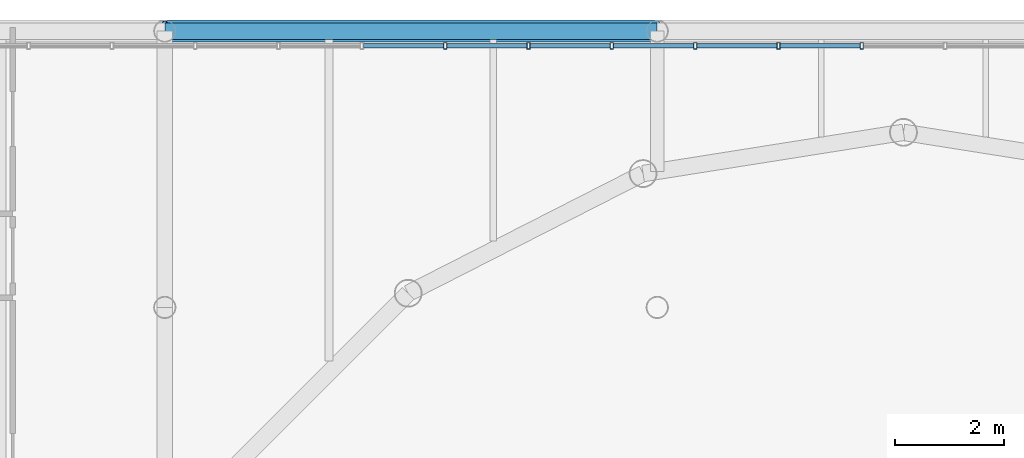
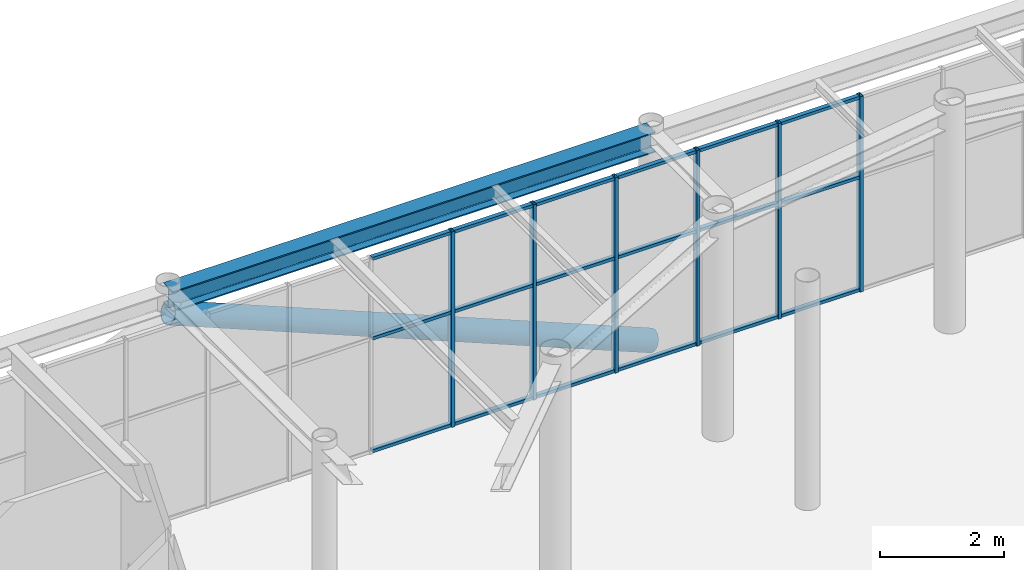
# One storey, part 61 of 149: 25 members, 1 beam, 1 element without a shape of its own.
"""IFC4 building model written with IfcOpenShell, lengths in metres."""

from ifc_helpers import new_model, si_unit, direction, frame, origin, origin_2d, place, context, subcontext, project, spatial, hollow_rectangle, hollow_circle, i_section, extrude, material, layer, layer_set, material_profile, profile_set, type_object, element, aggregate, save


model = new_model("IFC4")

# Units and contexts
model_context = context("Model", 3, precision=1e-05, world=origin(), true_north=direction((0.0, 1.0)))
body_context = subcontext(model_context, "Body", "Model", "MODEL_VIEW")
ifc_project = project(units=[si_unit("LENGTHUNIT", "METRE"), si_unit("AREAUNIT", "SQUARE_METRE"), si_unit("VOLUMEUNIT", "CUBIC_METRE"), si_unit("PLANEANGLEUNIT", "RADIAN"), si_unit("MASSUNIT", "GRAM", prefix="KILO")], contexts=[model_context])

# Site, building, storey
site_placement = place(None, origin())
site = spatial("IfcSite", under=ifc_project, at=site_placement, CompositionType="ELEMENT")
building_placement = place(site_placement, origin())
building = spatial("IfcBuilding", under=site, at=building_placement, Name="Kallimachos Central Library", CompositionType="ELEMENT")
storey_placement = place(building_placement, frame((0.0, 0.0, 9.89990234375)))
storey = spatial("IfcBuildingStorey", under=building, at=storey_placement, Name="L02", CompositionType="ELEMENT", Elevation=9.89990234375)

# Member
ifc_material_1 = material(Name="Steel S355J2H", Category="steel")
ifc_material_profile_1 = material_profile(ifc_material_1, hollow_circle(Radius=0.203125, WallThickness=0.01611328125, at=origin_2d()), Name="CHS 406.4x16")
ifc_profile_set_1 = profile_set([ifc_material_profile_1], Name="Steel S355J2H")
member_type_1 = type_object("IfcMemberType", Name="CHS 406.4x16 brace", PredefinedType="BRACE", material=ifc_profile_set_1)
member_1_placement = place(storey_placement, frame((74.5, 121.64990234375, 3.85009765625), z_axis=(0.924892546912, 0.0, -0.380228584756), x_axis=(0.0, 1.0, 0.0)))
element("IfcMember", 1, at=member_1_placement, inside=storey, type_object=member_type_1, Name="Cantilever truss diagonal north bay 2 L02", PredefinedType="BRACE", context=body_context, shape_type="SweptSolid", body=[
    extrude(hollow_circle(Radius=0.203125, WallThickness=0.01611328125, at=origin_2d()), origin(), (0.0, 0.0, 1.0), 9.73095703125),
])

# Curtain wall, members
ifc_material_2 = material(Name="Anodised aluminium and laminated glass", Category="aluminium")
ifc_layer = layer(ifc_material_2, 0.159912109375)
ifc_layer_set = layer_set([ifc_layer], Name="Glass box curtain wall")
curtain_wall_type = type_object("IfcCurtainWallType", Name="Glass box curtain wall", PredefinedType="NOTDEFINED", material=ifc_layer_set)
curtain_wall_placement = place(storey_placement, origin())
curtain_wall = element("IfcCurtainWall", 2, at=curtain_wall_placement, inside=storey, type_object=curtain_wall_type, Name="Glass box curtain wall N L02", PredefinedType="NOTDEFINED")
ifc_material_3 = material(Name="Anodised aluminium", Category="aluminium")
ifc_material_profile_2 = material_profile(ifc_material_3, hollow_rectangle(XDim=0.06005859375, YDim=0.1201171875, WallThickness=0.00390625, at=origin_2d()), Name="ALU MULLION 60x120")
ifc_profile_set_2 = profile_set([ifc_material_profile_2], Name="Anodised aluminium")
member_type_2 = type_object("IfcMemberType", Name="Glass box mullion 60x120", PredefinedType="MULLION", material=ifc_profile_set_2)
member_2_placement = place(storey_placement, frame((79.624755859375, 121.3798828125, 0.0), z_axis=(0.0, 0.0, 1.0), x_axis=(1.0, 0.0, 0.0)))
member_2 = element("IfcMember", 3, at=member_2_placement, type_object=member_type_2, Name="CW20 mullion 10", PredefinedType="MULLION", context=body_context, shape_type="SweptSolid", body=[
    extrude(hollow_rectangle(XDim=0.06005859375, YDim=0.1201171875, WallThickness=0.00390625, at=origin_2d()), origin(), (0.0, 0.0, 1.0), 3.85009765625),
])
member_3_placement = place(storey_placement, frame((81.147705078125, 121.3798828125, 0.0), z_axis=(0.0, 0.0, 1.0), x_axis=(1.0, 0.0, 0.0)))
member_3 = element("IfcMember", 4, at=member_3_placement, type_object=member_type_2, Name="CW20 mullion 11", PredefinedType="MULLION", context=body_context, shape_type="SweptSolid", body=[
    extrude(hollow_rectangle(XDim=0.06005859375, YDim=0.1201171875, WallThickness=0.00390625, at=origin_2d()), origin(), (0.0, 0.0, 1.0), 3.85009765625),
])
member_4_placement = place(storey_placement, frame((82.67041015625, 121.3798828125, 0.0), z_axis=(0.0, 0.0, 1.0), x_axis=(1.0, 0.0, 0.0)))
member_4 = element("IfcMember", 5, at=member_4_placement, type_object=member_type_2, Name="CW20 mullion 12", PredefinedType="MULLION", context=body_context, shape_type="SweptSolid", body=[
    extrude(hollow_rectangle(XDim=0.06005859375, YDim=0.1201171875, WallThickness=0.00390625, at=origin_2d()), origin(), (0.0, 0.0, 1.0), 3.85009765625),
])
member_5_placement = place(storey_placement, frame((84.193115234375, 121.3798828125, 0.0), z_axis=(0.0, 0.0, 1.0), x_axis=(1.0, 0.0, 0.0)))
member_5 = element("IfcMember", 6, at=member_5_placement, type_object=member_type_2, Name="CW20 mullion 13", PredefinedType="MULLION", context=body_context, shape_type="SweptSolid", body=[
    extrude(hollow_rectangle(XDim=0.06005859375, YDim=0.1201171875, WallThickness=0.00390625, at=origin_2d()), origin(), (0.0, 0.0, 1.0), 3.85009765625),
])
member_6_placement = place(storey_placement, frame((85.7158203125, 121.3798828125, 0.0), z_axis=(0.0, 0.0, 1.0), x_axis=(1.0, 0.0, 0.0)))
member_6 = element("IfcMember", 7, at=member_6_placement, type_object=member_type_2, Name="CW20 mullion 14", PredefinedType="MULLION", context=body_context, shape_type="SweptSolid", body=[
    extrude(hollow_rectangle(XDim=0.06005859375, YDim=0.1201171875, WallThickness=0.00390625, at=origin_2d()), origin(), (0.0, 0.0, 1.0), 3.85009765625),
])
member_7_placement = place(storey_placement, frame((87.238525390625, 121.3798828125, 0.0), z_axis=(0.0, 0.0, 1.0), x_axis=(1.0, 0.0, 0.0)))
member_7 = element("IfcMember", 8, at=member_7_placement, type_object=member_type_2, Name="CW20 mullion 15", PredefinedType="MULLION", context=body_context, shape_type="SweptSolid", body=[
    extrude(hollow_rectangle(XDim=0.06005859375, YDim=0.1201171875, WallThickness=0.00390625, at=origin_2d()), origin(), (0.0, 0.0, 1.0), 3.85009765625),
])
ifc_material_4 = material(Name="Anodised aluminium", Category="aluminium")
ifc_material_profile_3 = material_profile(ifc_material_4, hollow_rectangle(XDim=0.06005859375, YDim=0.080078125, WallThickness=0.00390625, at=origin_2d()), Name="ALU TRANSOM 60x80")
ifc_profile_set_3 = profile_set([ifc_material_profile_3], Name="Anodised aluminium")
member_type_3 = type_object("IfcMemberType", Name="Glass box transom 60x80", PredefinedType="USERDEFINED", material=ifc_profile_set_3)
member_8_placement = place(storey_placement, frame((78.132080078125, 121.3798828125, 0.030029296875), z_axis=(1.0, 0.0, 0.0), x_axis=(0.0, 0.0, 1.0)))
member_8 = element("IfcMember", 9, at=member_8_placement, type_object=member_type_3, Name="CW20 transom 9.1", ObjectType="TRANSOM", PredefinedType="USERDEFINED", context=body_context, shape_type="SweptSolid", body=[
    extrude(hollow_rectangle(XDim=0.06005859375, YDim=0.080078125, WallThickness=0.00390625, at=origin_2d()), origin(), (0.0, 0.0, 1.0), 1.462646484375),
])
member_9_placement = place(storey_placement, frame((78.132080078125, 121.3798828125, 2.25), z_axis=(1.0, 0.0, 0.0), x_axis=(0.0, 0.0, 1.0)))
member_9 = element("IfcMember", 10, at=member_9_placement, type_object=member_type_3, Name="CW20 transom 9.2", ObjectType="TRANSOM", PredefinedType="USERDEFINED", context=body_context, shape_type="SweptSolid", body=[
    extrude(hollow_rectangle(XDim=0.06005859375, YDim=0.080078125, WallThickness=0.00390625, at=origin_2d()), origin(), (0.0, 0.0, 1.0), 1.462646484375),
])
member_10_placement = place(storey_placement, frame((78.132080078125, 121.3798828125, 3.820068359375), z_axis=(1.0, 0.0, 0.0), x_axis=(0.0, 0.0, 1.0)))
member_10 = element("IfcMember", 11, at=member_10_placement, type_object=member_type_3, Name="CW20 transom 9.3", ObjectType="TRANSOM", PredefinedType="USERDEFINED", context=body_context, shape_type="SweptSolid", body=[
    extrude(hollow_rectangle(XDim=0.06005859375, YDim=0.080078125, WallThickness=0.00390625, at=origin_2d()), origin(), (0.0, 0.0, 1.0), 1.462646484375),
])
member_11_placement = place(storey_placement, frame((79.65478515625, 121.3798828125, 0.030029296875), z_axis=(1.0, 0.0, 0.0), x_axis=(0.0, 0.0, 1.0)))
member_11 = element("IfcMember", 12, at=member_11_placement, type_object=member_type_3, Name="CW20 transom 10.1", ObjectType="TRANSOM", PredefinedType="USERDEFINED", context=body_context, shape_type="SweptSolid", body=[
    extrude(hollow_rectangle(XDim=0.06005859375, YDim=0.080078125, WallThickness=0.00390625, at=origin_2d()), origin(), (0.0, 0.0, 1.0), 1.462890625),
])
member_12_placement = place(storey_placement, frame((79.65478515625, 121.3798828125, 2.25), z_axis=(1.0, 0.0, 0.0), x_axis=(0.0, 0.0, 1.0)))
member_12 = element("IfcMember", 13, at=member_12_placement, type_object=member_type_3, Name="CW20 transom 10.2", ObjectType="TRANSOM", PredefinedType="USERDEFINED", context=body_context, shape_type="SweptSolid", body=[
    extrude(hollow_rectangle(XDim=0.06005859375, YDim=0.080078125, WallThickness=0.00390625, at=origin_2d()), origin(), (0.0, 0.0, 1.0), 1.462890625),
])
member_13_placement = place(storey_placement, frame((79.65478515625, 121.3798828125, 3.820068359375), z_axis=(1.0, 0.0, 0.0), x_axis=(0.0, 0.0, 1.0)))
member_13 = element("IfcMember", 14, at=member_13_placement, type_object=member_type_3, Name="CW20 transom 10.3", ObjectType="TRANSOM", PredefinedType="USERDEFINED", context=body_context, shape_type="SweptSolid", body=[
    extrude(hollow_rectangle(XDim=0.06005859375, YDim=0.080078125, WallThickness=0.00390625, at=origin_2d()), origin(), (0.0, 0.0, 1.0), 1.462890625),
])
member_14_placement = place(storey_placement, frame((81.177490234375, 121.3798828125, 0.030029296875), z_axis=(1.0, 0.0, 0.0), x_axis=(0.0, 0.0, 1.0)))
member_14 = element("IfcMember", 15, at=member_14_placement, type_object=member_type_3, Name="CW20 transom 11.1", ObjectType="TRANSOM", PredefinedType="USERDEFINED", context=body_context, shape_type="SweptSolid", body=[
    extrude(hollow_rectangle(XDim=0.06005859375, YDim=0.080078125, WallThickness=0.00390625, at=origin_2d()), origin(), (0.0, 0.0, 1.0), 1.462890625),
])
member_15_placement = place(storey_placement, frame((81.177490234375, 121.3798828125, 2.25), z_axis=(1.0, 0.0, 0.0), x_axis=(0.0, 0.0, 1.0)))
member_15 = element("IfcMember", 16, at=member_15_placement, type_object=member_type_3, Name="CW20 transom 11.2", ObjectType="TRANSOM", PredefinedType="USERDEFINED", context=body_context, shape_type="SweptSolid", body=[
    extrude(hollow_rectangle(XDim=0.06005859375, YDim=0.080078125, WallThickness=0.00390625, at=origin_2d()), origin(), (0.0, 0.0, 1.0), 1.462890625),
])
member_16_placement = place(storey_placement, frame((81.177490234375, 121.3798828125, 3.820068359375), z_axis=(1.0, 0.0, 0.0), x_axis=(0.0, 0.0, 1.0)))
member_16 = element("IfcMember", 17, at=member_16_placement, type_object=member_type_3, Name="CW20 transom 11.3", ObjectType="TRANSOM", PredefinedType="USERDEFINED", context=body_context, shape_type="SweptSolid", body=[
    extrude(hollow_rectangle(XDim=0.06005859375, YDim=0.080078125, WallThickness=0.00390625, at=origin_2d()), origin(), (0.0, 0.0, 1.0), 1.462890625),
])
member_17_placement = place(storey_placement, frame((82.700439453125, 121.3798828125, 0.030029296875), z_axis=(1.0, 0.0, 0.0), x_axis=(0.0, 0.0, 1.0)))
member_17 = element("IfcMember", 18, at=member_17_placement, type_object=member_type_3, Name="CW20 transom 12.1", ObjectType="TRANSOM", PredefinedType="USERDEFINED", context=body_context, shape_type="SweptSolid", body=[
    extrude(hollow_rectangle(XDim=0.06005859375, YDim=0.080078125, WallThickness=0.00390625, at=origin_2d()), origin(), (0.0, 0.0, 1.0), 1.462646484375),
])
member_18_placement = place(storey_placement, frame((82.700439453125, 121.3798828125, 2.25), z_axis=(1.0, 0.0, 0.0), x_axis=(0.0, 0.0, 1.0)))
member_18 = element("IfcMember", 19, at=member_18_placement, type_object=member_type_3, Name="CW20 transom 12.2", ObjectType="TRANSOM", PredefinedType="USERDEFINED", context=body_context, shape_type="SweptSolid", body=[
    extrude(hollow_rectangle(XDim=0.06005859375, YDim=0.080078125, WallThickness=0.00390625, at=origin_2d()), origin(), (0.0, 0.0, 1.0), 1.462646484375),
])
member_19_placement = place(storey_placement, frame((82.700439453125, 121.3798828125, 3.820068359375), z_axis=(1.0, 0.0, 0.0), x_axis=(0.0, 0.0, 1.0)))
member_19 = element("IfcMember", 20, at=member_19_placement, type_object=member_type_3, Name="CW20 transom 12.3", ObjectType="TRANSOM", PredefinedType="USERDEFINED", context=body_context, shape_type="SweptSolid", body=[
    extrude(hollow_rectangle(XDim=0.06005859375, YDim=0.080078125, WallThickness=0.00390625, at=origin_2d()), origin(), (0.0, 0.0, 1.0), 1.462646484375),
])
member_20_placement = place(storey_placement, frame((84.22314453125, 121.3798828125, 0.030029296875), z_axis=(1.0, 0.0, 0.0), x_axis=(0.0, 0.0, 1.0)))
member_20 = element("IfcMember", 21, at=member_20_placement, type_object=member_type_3, Name="CW20 transom 13.1", ObjectType="TRANSOM", PredefinedType="USERDEFINED", context=body_context, shape_type="SweptSolid", body=[
    extrude(hollow_rectangle(XDim=0.06005859375, YDim=0.080078125, WallThickness=0.00390625, at=origin_2d()), origin(), (0.0, 0.0, 1.0), 1.462646484375),
])
member_21_placement = place(storey_placement, frame((84.22314453125, 121.3798828125, 2.25), z_axis=(1.0, 0.0, 0.0), x_axis=(0.0, 0.0, 1.0)))
member_21 = element("IfcMember", 22, at=member_21_placement, type_object=member_type_3, Name="CW20 transom 13.2", ObjectType="TRANSOM", PredefinedType="USERDEFINED", context=body_context, shape_type="SweptSolid", body=[
    extrude(hollow_rectangle(XDim=0.06005859375, YDim=0.080078125, WallThickness=0.00390625, at=origin_2d()), origin(), (0.0, 0.0, 1.0), 1.462646484375),
])
member_22_placement = place(storey_placement, frame((84.22314453125, 121.3798828125, 3.820068359375), z_axis=(1.0, 0.0, 0.0), x_axis=(0.0, 0.0, 1.0)))
member_22 = element("IfcMember", 23, at=member_22_placement, type_object=member_type_3, Name="CW20 transom 13.3", ObjectType="TRANSOM", PredefinedType="USERDEFINED", context=body_context, shape_type="SweptSolid", body=[
    extrude(hollow_rectangle(XDim=0.06005859375, YDim=0.080078125, WallThickness=0.00390625, at=origin_2d()), origin(), (0.0, 0.0, 1.0), 1.462646484375),
])
member_23_placement = place(storey_placement, frame((85.745849609375, 121.3798828125, 0.030029296875), z_axis=(1.0, 0.0, 0.0), x_axis=(0.0, 0.0, 1.0)))
member_23 = element("IfcMember", 24, at=member_23_placement, type_object=member_type_3, Name="CW20 transom 14.1", ObjectType="TRANSOM", PredefinedType="USERDEFINED", context=body_context, shape_type="SweptSolid", body=[
    extrude(hollow_rectangle(XDim=0.06005859375, YDim=0.080078125, WallThickness=0.00390625, at=origin_2d()), origin(), (0.0, 0.0, 1.0), 1.462890625),
])
member_24_placement = place(storey_placement, frame((85.745849609375, 121.3798828125, 2.25), z_axis=(1.0, 0.0, 0.0), x_axis=(0.0, 0.0, 1.0)))
member_24 = element("IfcMember", 25, at=member_24_placement, type_object=member_type_3, Name="CW20 transom 14.2", ObjectType="TRANSOM", PredefinedType="USERDEFINED", context=body_context, shape_type="SweptSolid", body=[
    extrude(hollow_rectangle(XDim=0.06005859375, YDim=0.080078125, WallThickness=0.00390625, at=origin_2d()), origin(), (0.0, 0.0, 1.0), 1.462890625),
])
member_25_placement = place(storey_placement, frame((85.745849609375, 121.3798828125, 3.820068359375), z_axis=(1.0, 0.0, 0.0), x_axis=(0.0, 0.0, 1.0)))
member_25 = element("IfcMember", 26, at=member_25_placement, type_object=member_type_3, Name="CW20 transom 14.3", ObjectType="TRANSOM", PredefinedType="USERDEFINED", context=body_context, shape_type="SweptSolid", body=[
    extrude(hollow_rectangle(XDim=0.06005859375, YDim=0.080078125, WallThickness=0.00390625, at=origin_2d()), origin(), (0.0, 0.0, 1.0), 1.462890625),
])
aggregate(curtain_wall, [member_2, member_3, member_4, member_5, member_6, member_7, member_8, member_9, member_10, member_11, member_12, member_13, member_14, member_15, member_16, member_17, member_18, member_19, member_20, member_21, member_22, member_23, member_24, member_25])

# Beam
ifc_material_5 = material(Name="Steel S355J2", Category="steel")
ifc_material_profile_4 = material_profile(ifc_material_5, i_section(OverallWidth=0.300048828125, OverallDepth=0.39990234375, WebThickness=0.013427734375, FlangeThickness=0.02392578125, FilletRadius=0.027099609375, at=origin_2d()), Name="HEB 400")
ifc_profile_set_4 = profile_set([ifc_material_profile_4], Name="Steel S355J2")
beam_type = type_object("IfcBeamType", Name="HEB 400 beam", PredefinedType="BEAM", material=ifc_profile_set_4)
beam_placement = place(storey_placement, frame((74.5, 121.64990234375, 4.150146484375), z_axis=(1.0, 0.0, 0.0), x_axis=(0.0, 1.0, 0.0)))
element("IfcBeam", 27, at=beam_placement, inside=storey, type_object=beam_type, Name="V1-BEM-L02-045", PredefinedType="BEAM", context=body_context, shape_type="SweptSolid", body=[
    extrude(i_section(OverallWidth=0.300048828125, OverallDepth=0.39990234375, WebThickness=0.013427734375, FlangeThickness=0.02392578125, FilletRadius=0.027099609375, at=origin_2d()), origin(), (0.0, 0.0, 1.0), 9.0),
])

save(model, "model.ifc")
